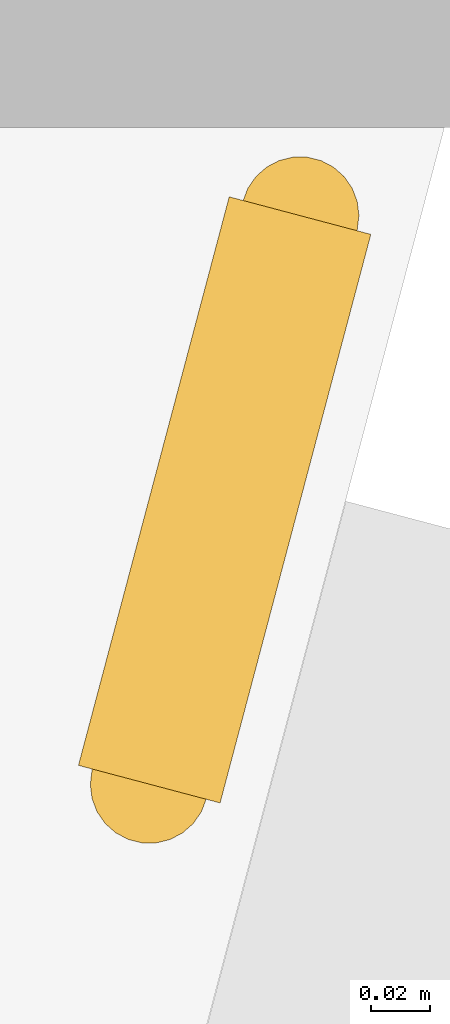
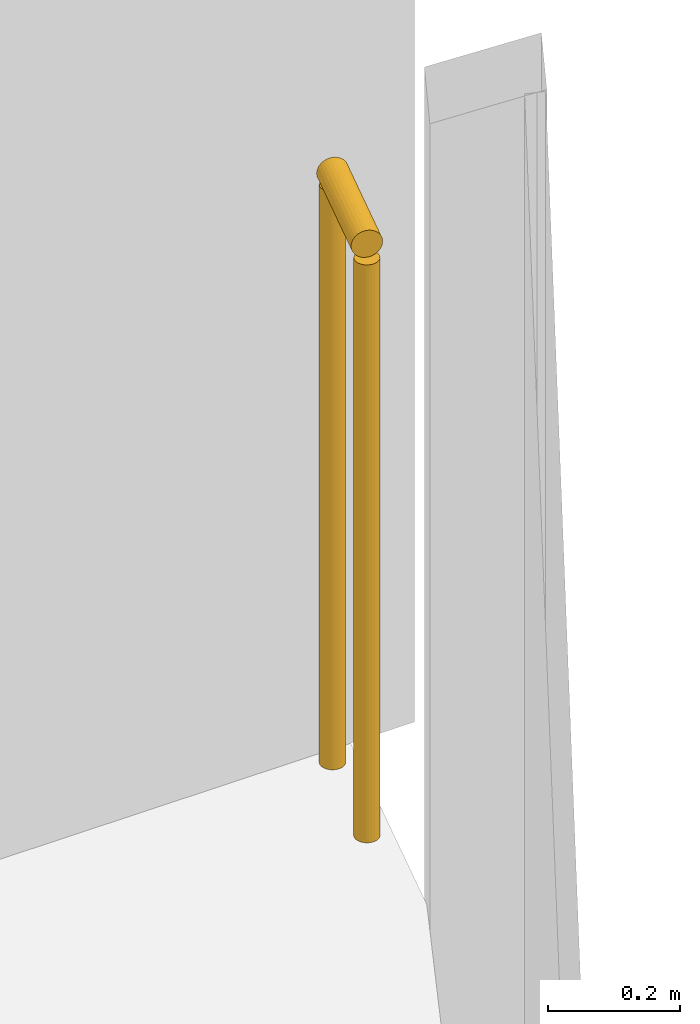
# One storey, part 33 of 34: 1 railing.
"""IFC4 building model written with IfcOpenShell, lengths in metres."""

from ifc_helpers import new_model, si_unit, direction, frame, origin, origin_2d, place, context, subcontext, project, spatial, circle, extrude, material, type_object, element, save


model = new_model("IFC4")

# Units and contexts
model_context = context("Model", 3, precision=1e-05, world=origin(), true_north=direction((0.0, 1.0)))
body_context = subcontext(model_context, "Body", "Model", "MODEL_VIEW")
ifc_project = project(units=[si_unit("LENGTHUNIT", "METRE"), si_unit("AREAUNIT", "SQUARE_METRE"), si_unit("VOLUMEUNIT", "CUBIC_METRE"), si_unit("PLANEANGLEUNIT", "RADIAN"), si_unit("MASSUNIT", "GRAM", prefix="KILO")], contexts=[model_context])

# Site, building, storey
site_placement = place(None, origin())
site = spatial("IfcSite", under=ifc_project, at=site_placement, CompositionType="ELEMENT")
building_placement = place(site_placement, origin())
building = spatial("IfcBuilding", under=site, at=building_placement, Name="Orlundy Tower", CompositionType="ELEMENT")
storey_placement = place(building_placement, frame((0.0, 0.0, 109.199951171875)))
storey = spatial("IfcBuildingStorey", under=building, at=storey_placement, Name="L27", CompositionType="ELEMENT", Elevation=109.199951171875)

# Railing
ifc_material = material(Name="Stainless steel bronze finish", Category="steel")
railing_type = type_object("IfcRailingType", Name="TG1 terrace guard", PredefinedType="GUARDRAIL", material=ifc_material)
railing_placement = place(storey_placement, frame((55.85986328125, -25.241943359375, 0.0)))
element("IfcRailing", 1, at=railing_placement, inside=storey, type_object=railing_type, Name="Guard TG-L27-E00", PredefinedType="GUARDRAIL", context=body_context, shape_type="SweptSolid", body=[
    extrude(circle(Radius=0.02490234375, at=origin_2d()), frame((0.0, 0.0, 1.09521484375), z_axis=(-0.256295080352, -0.966598588757, 0.0), x_axis=(0.966598588757, -0.256295080352, 0.0)), (0.0, 0.0, 1.0), 0.199951171875),
    extrude(circle(Radius=0.02001953125, at=origin_2d()), origin(), (0.0, 0.0, 1.0), 1.070068359375),
    extrude(circle(Radius=0.02001953125, at=origin_2d()), frame((-0.05126953125, -0.193359375, 0.0)), (0.0, 0.0, 1.0), 1.070068359375),
])

save(model, "model.ifc")
